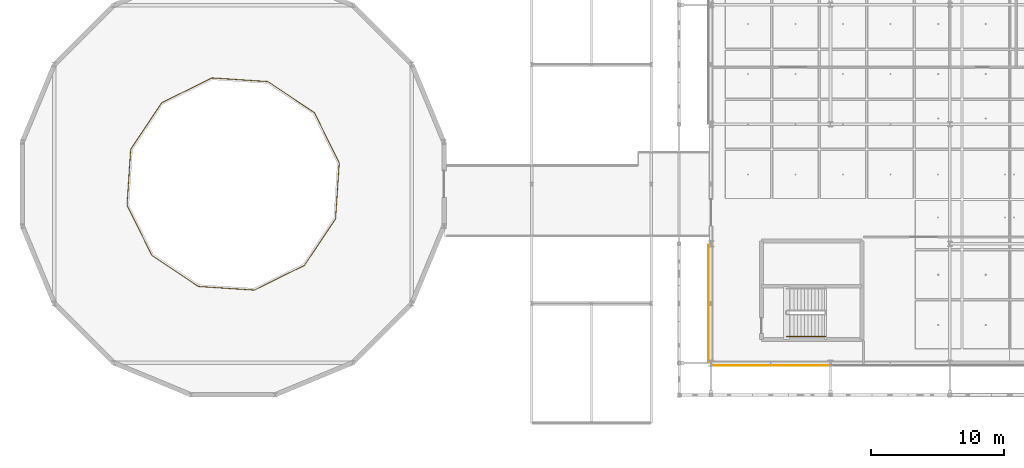
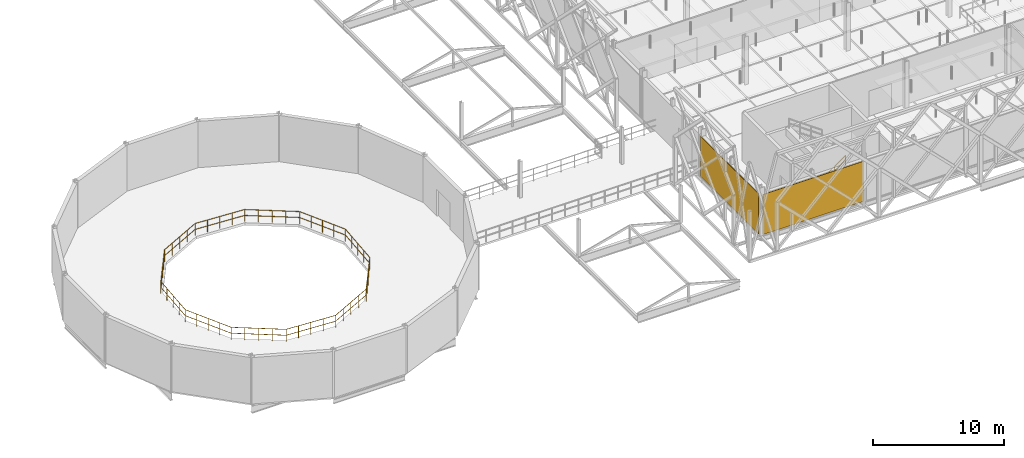
# One storey, part 128 of 140: 2 coverings, 2 railings.
"""IFC4 building model written with IfcOpenShell, lengths in metres."""

from ifc_helpers import new_model, si_unit, direction, frame, origin, origin_2d, place, context, subcontext, project, spatial, rectangle, circle, extrude, material, layer, layer_set, type_object, element, save


model = new_model("IFC4")

# Units and contexts
model_context = context("Model", 3, precision=1e-05, world=origin(), true_north=direction((0.0, 1.0)))
body_context = subcontext(model_context, "Body", "Model", "MODEL_VIEW")
ifc_project = project(units=[si_unit("LENGTHUNIT", "METRE"), si_unit("AREAUNIT", "SQUARE_METRE"), si_unit("VOLUMEUNIT", "CUBIC_METRE"), si_unit("PLANEANGLEUNIT", "RADIAN"), si_unit("MASSUNIT", "GRAM", prefix="KILO"), si_unit("THERMODYNAMICTEMPERATUREUNIT", "KELVIN"), si_unit("POWERUNIT", "WATT")], contexts=[model_context])

# Site, building, storey
site_placement = place(None, origin())
site = spatial("IfcSite", under=ifc_project, at=site_placement, CompositionType="ELEMENT")
building_placement = place(site_placement, origin())
building = spatial("IfcBuilding", under=site, at=building_placement, Name="Tallowbark Science Centre", CompositionType="ELEMENT")
storey_placement = place(building_placement, frame((0.0, 0.0, 9.89990234375)))
storey = spatial("IfcBuildingStorey", under=building, at=storey_placement, Name="L02", CompositionType="ELEMENT", Elevation=9.89990234375)

# Coverings
ifc_material_1 = material(Name="Spotted Gum Hardwood Architectural Rainscreen", Category="wood")
ifc_layer_1 = layer(ifc_material_1, 0.0419921875)
ifc_layer_set_1 = layer_set([ifc_layer_1], Name="Spotted Gum Hardwood Architectural Rainscreen")
covering_type = type_object("IfcCoveringType", Name="COV-TIM-CLAD", PredefinedType="CLADDING", material=ifc_layer_set_1)
for number, where, z_axis, x_axis, name in (
    (1, (63.0, 4.33154296875, 0.050048828125), (0.0, 0.0, 1.0), (1.0, 0.0, 0.0), "Architectural Rainscreen CUB-S-L02-0"),
    (2, (58.33154296875, 9.0, 0.050048828125), (0.0, 0.0, 1.0), (0.0, -1.0, 0.0), "Architectural Rainscreen CUB-W-L02-0"),
):
    element("IfcCovering", number, at=place(storey_placement, frame(where, z_axis=z_axis, x_axis=x_axis)), inside=storey, type_object=covering_type, Name=name, PredefinedType="CLADDING", context=body_context, shape_type="SweptSolid", body=[
        extrude(rectangle(XDim=8.8798828125, YDim=0.0419921875, at=origin_2d()), origin(), (0.0, 0.0, 1.0), 3.74609375),
    ])

# Railings
ifc_material_2 = material(Name="Galvanised Painted Steel and Laminated Glass Balustrade", Category="steel")
ifc_layer_2 = layer(ifc_material_2, 0.070068359375)
ifc_layer_set_2 = layer_set([ifc_layer_2], Name="Galvanised Painted Steel and Laminated Glass Balustrade")
railing_type_1 = type_object("IfcRailingType", Name="RLG-BAL-1150", PredefinedType="BALUSTRADE", material=ifc_layer_set_2)
railing_1_placement = place(storey_placement, frame((30.493408203125, 19.590087890625, 0.0)))
element("IfcRailing", 3, at=railing_1_placement, inside=storey, type_object=railing_type_1, Name="Guardrail GD-DRM-VOID-L02", PredefinedType="BALUSTRADE", context=body_context, shape_type="SweptSolid", body=[
    extrude(circle(Radius=0.02392578125, at=origin_2d()), frame((0.0, 0.0, 1.1259765625), z_axis=(-0.442299498373, 0.89686741146, 0.0), x_axis=(-0.89686741146, -0.442299498373, 0.0)), (0.0, 0.0, 1.0), 4.21875),
    extrude(circle(Radius=0.02392578125, at=origin_2d()), frame((0.0, 0.0, 0.574951171875), z_axis=(-0.442299498373, 0.89686741146, 0.0), x_axis=(-0.89686741146, -0.442299498373, 0.0)), (0.0, 0.0, 1.0), 4.21875),
    extrude(circle(Radius=0.02392578125, at=origin_2d()), frame((-1.865966796875, 3.78369140625, 1.1259765625), z_axis=(-0.831480055762, 0.555554602959, 0.0), x_axis=(-0.555554602959, -0.831480055762, 0.0)), (0.0, 0.0, 1.0), 4.21875),
    extrude(circle(Radius=0.02392578125, at=origin_2d()), frame((-1.865966796875, 3.78369140625, 0.574951171875), z_axis=(-0.831480055762, 0.555554602959, 0.0), x_axis=(-0.555554602959, -0.831480055762, 0.0)), (0.0, 0.0, 1.0), 4.21875),
    extrude(circle(Radius=0.02392578125, at=origin_2d()), frame((-5.373779296875, 6.12744140625, 1.1259765625), z_axis=(-0.997859549875, 0.065393567903, 0.0), x_axis=(-0.065393567903, -0.997859549875, 0.0)), (0.0, 0.0, 1.0), 4.21875),
    extrude(circle(Radius=0.02392578125, at=origin_2d()), frame((-5.373779296875, 6.12744140625, 0.574951171875), z_axis=(-0.997859549875, 0.065393567903, 0.0), x_axis=(-0.065393567903, -0.997859549875, 0.0)), (0.0, 0.0, 1.0), 4.21875),
    extrude(circle(Radius=0.02392578125, at=origin_2d()), frame((-9.58349609375, 6.4033203125, 1.1259765625), z_axis=(-0.89686741146, -0.442299498373, 0.0), x_axis=(0.442299498373, -0.89686741146, 0.0)), (0.0, 0.0, 1.0), 4.21875),
    extrude(circle(Radius=0.02392578125, at=origin_2d()), frame((-9.58349609375, 6.4033203125, 0.574951171875), z_axis=(-0.89686741146, -0.442299498373, 0.0), x_axis=(0.442299498373, -0.89686741146, 0.0)), (0.0, 0.0, 1.0), 4.21875),
    extrude(circle(Radius=0.02392578125, at=origin_2d()), frame((-13.3671875, 4.537353515625, 1.1259765625), z_axis=(-0.555554602959, -0.831480055762, 0.0), x_axis=(0.831480055762, -0.555554602959, 0.0)), (0.0, 0.0, 1.0), 4.21875),
    extrude(circle(Radius=0.02392578125, at=origin_2d()), frame((-13.3671875, 4.537353515625, 0.574951171875), z_axis=(-0.555554602959, -0.831480055762, 0.0), x_axis=(0.831480055762, -0.555554602959, 0.0)), (0.0, 0.0, 1.0), 4.21875),
    extrude(circle(Radius=0.02392578125, at=origin_2d()), frame((-15.7109375, 1.029541015625, 1.1259765625), z_axis=(-0.065393567903, -0.997859549875, 0.0), x_axis=(0.997859549875, -0.065393567903, 0.0)), (0.0, 0.0, 1.0), 4.21875),
    extrude(circle(Radius=0.02392578125, at=origin_2d()), frame((-15.7109375, 1.029541015625, 0.574951171875), z_axis=(-0.065393567903, -0.997859549875, 0.0), x_axis=(0.997859549875, -0.065393567903, 0.0)), (0.0, 0.0, 1.0), 4.21875),
    extrude(circle(Radius=0.02392578125, at=origin_2d()), frame((-15.98681640625, -3.18017578125, 1.1259765625), z_axis=(0.442299498373, -0.89686741146, 0.0), x_axis=(0.89686741146, 0.442299498373, 0.0)), (0.0, 0.0, 1.0), 4.21875),
    extrude(circle(Radius=0.02392578125, at=origin_2d()), frame((-15.98681640625, -3.18017578125, 0.574951171875), z_axis=(0.442299498373, -0.89686741146, 0.0), x_axis=(0.89686741146, 0.442299498373, 0.0)), (0.0, 0.0, 1.0), 4.21875),
    extrude(circle(Radius=0.02392578125, at=origin_2d()), frame((-14.120849609375, -6.9638671875, 1.1259765625), z_axis=(0.831480055762, -0.555554602959, 0.0), x_axis=(0.555554602959, 0.831480055762, 0.0)), (0.0, 0.0, 1.0), 4.21875),
    extrude(circle(Radius=0.02392578125, at=origin_2d()), frame((-14.120849609375, -6.9638671875, 0.574951171875), z_axis=(0.831480055762, -0.555554602959, 0.0), x_axis=(0.555554602959, 0.831480055762, 0.0)), (0.0, 0.0, 1.0), 4.21875),
    extrude(circle(Radius=0.02392578125, at=origin_2d()), frame((-10.613037109375, -9.3076171875, 1.1259765625), z_axis=(0.997859549875, -0.065393567903, 0.0), x_axis=(0.065393567903, 0.997859549875, 0.0)), (0.0, 0.0, 1.0), 4.21875),
    extrude(circle(Radius=0.02392578125, at=origin_2d()), frame((-10.613037109375, -9.3076171875, 0.574951171875), z_axis=(0.997859549875, -0.065393567903, 0.0), x_axis=(0.065393567903, 0.997859549875, 0.0)), (0.0, 0.0, 1.0), 4.21875),
    extrude(circle(Radius=0.02392578125, at=origin_2d()), frame((-6.4033203125, -9.58349609375, 1.1259765625), z_axis=(0.89686741146, 0.442299498373, 0.0), x_axis=(-0.442299498373, 0.89686741146, 0.0)), (0.0, 0.0, 1.0), 4.21875),
    extrude(circle(Radius=0.02392578125, at=origin_2d()), frame((-6.4033203125, -9.58349609375, 0.574951171875), z_axis=(0.89686741146, 0.442299498373, 0.0), x_axis=(-0.442299498373, 0.89686741146, 0.0)), (0.0, 0.0, 1.0), 4.21875),
    extrude(circle(Radius=0.02392578125, at=origin_2d()), frame((-2.61962890625, -7.717529296875, 1.1259765625), z_axis=(0.555554602959, 0.831480055762, 0.0), x_axis=(-0.831480055762, 0.555554602959, 0.0)), (0.0, 0.0, 1.0), 4.21875),
    extrude(circle(Radius=0.02392578125, at=origin_2d()), frame((-2.61962890625, -7.717529296875, 0.574951171875), z_axis=(0.555554602959, 0.831480055762, 0.0), x_axis=(-0.831480055762, 0.555554602959, 0.0)), (0.0, 0.0, 1.0), 4.21875),
    extrude(circle(Radius=0.02392578125, at=origin_2d()), frame((-0.27587890625, -4.209716796875, 1.1259765625), z_axis=(0.065393567903, 0.997859549875, 0.0), x_axis=(-0.997859549875, 0.065393567903, 0.0)), (0.0, 0.0, 1.0), 4.21875),
    extrude(circle(Radius=0.02392578125, at=origin_2d()), frame((-0.27587890625, -4.209716796875, 0.574951171875), z_axis=(0.065393567903, 0.997859549875, 0.0), x_axis=(-0.997859549875, 0.065393567903, 0.0)), (0.0, 0.0, 1.0), 4.21875),
    extrude(circle(Radius=0.02099609375, at=origin_2d()), origin(), (0.0, 0.0, 1.0), 1.101806640625),
    extrude(circle(Radius=0.02099609375, at=origin_2d()), frame((-0.466552734375, 0.94580078125, 0.0)), (0.0, 0.0, 1.0), 1.101806640625),
    extrude(circle(Radius=0.02099609375, at=origin_2d()), frame((-0.93310546875, 1.891845703125, 0.0)), (0.0, 0.0, 1.0), 1.101806640625),
    extrude(circle(Radius=0.02099609375, at=origin_2d()), frame((-1.3994140625, 2.837890625, 0.0)), (0.0, 0.0, 1.0), 1.101806640625),
    extrude(circle(Radius=0.02099609375, at=origin_2d()), frame((-1.865966796875, 3.78369140625, 0.0)), (0.0, 0.0, 1.0), 1.101806640625),
    extrude(circle(Radius=0.02099609375, at=origin_2d()), frame((-2.742919921875, 4.36962890625, 0.0)), (0.0, 0.0, 1.0), 1.101806640625),
    extrude(circle(Radius=0.02099609375, at=origin_2d()), frame((-3.619873046875, 4.95556640625, 0.0)), (0.0, 0.0, 1.0), 1.101806640625),
    extrude(circle(Radius=0.02099609375, at=origin_2d()), frame((-4.496826171875, 5.54150390625, 0.0)), (0.0, 0.0, 1.0), 1.101806640625),
    extrude(circle(Radius=0.02099609375, at=origin_2d()), frame((-5.373779296875, 6.12744140625, 0.0)), (0.0, 0.0, 1.0), 1.101806640625),
    extrude(circle(Radius=0.02099609375, at=origin_2d()), frame((-6.42626953125, 6.1962890625, 0.0)), (0.0, 0.0, 1.0), 1.101806640625),
    extrude(circle(Radius=0.02099609375, at=origin_2d()), frame((-7.478515625, 6.265380859375, 0.0)), (0.0, 0.0, 1.0), 1.101806640625),
    extrude(circle(Radius=0.02099609375, at=origin_2d()), frame((-8.531005859375, 6.33447265625, 0.0)), (0.0, 0.0, 1.0), 1.101806640625),
    extrude(circle(Radius=0.02099609375, at=origin_2d()), frame((-9.58349609375, 6.4033203125, 0.0)), (0.0, 0.0, 1.0), 1.101806640625),
    extrude(circle(Radius=0.02099609375, at=origin_2d()), frame((-10.529296875, 5.936767578125, 0.0)), (0.0, 0.0, 1.0), 1.101806640625),
    extrude(circle(Radius=0.02099609375, at=origin_2d()), frame((-11.475341796875, 5.47021484375, 0.0)), (0.0, 0.0, 1.0), 1.101806640625),
    extrude(circle(Radius=0.02099609375, at=origin_2d()), frame((-12.42138671875, 5.00390625, 0.0)), (0.0, 0.0, 1.0), 1.101806640625),
    extrude(circle(Radius=0.02099609375, at=origin_2d()), frame((-13.3671875, 4.537353515625, 0.0)), (0.0, 0.0, 1.0), 1.101806640625),
    extrude(circle(Radius=0.02099609375, at=origin_2d()), frame((-13.953125, 3.660400390625, 0.0)), (0.0, 0.0, 1.0), 1.101806640625),
    extrude(circle(Radius=0.02099609375, at=origin_2d()), frame((-14.5390625, 2.783447265625, 0.0)), (0.0, 0.0, 1.0), 1.101806640625),
    extrude(circle(Radius=0.02099609375, at=origin_2d()), frame((-15.125, 1.906494140625, 0.0)), (0.0, 0.0, 1.0), 1.101806640625),
    extrude(circle(Radius=0.02099609375, at=origin_2d()), frame((-15.7109375, 1.029541015625, 0.0)), (0.0, 0.0, 1.0), 1.101806640625),
    extrude(circle(Radius=0.02099609375, at=origin_2d()), frame((-15.77978515625, -0.02294921875, 0.0)), (0.0, 0.0, 1.0), 1.101806640625),
    extrude(circle(Radius=0.02099609375, at=origin_2d()), frame((-15.848876953125, -1.0751953125, 0.0)), (0.0, 0.0, 1.0), 1.101806640625),
    extrude(circle(Radius=0.02099609375, at=origin_2d()), frame((-15.91796875, -2.127685546875, 0.0)), (0.0, 0.0, 1.0), 1.101806640625),
    extrude(circle(Radius=0.02099609375, at=origin_2d()), frame((-15.98681640625, -3.18017578125, 0.0)), (0.0, 0.0, 1.0), 1.101806640625),
    extrude(circle(Radius=0.02099609375, at=origin_2d()), frame((-15.520263671875, -4.1259765625, 0.0)), (0.0, 0.0, 1.0), 1.101806640625),
    extrude(circle(Radius=0.02099609375, at=origin_2d()), frame((-15.0537109375, -5.072021484375, 0.0)), (0.0, 0.0, 1.0), 1.101806640625),
    extrude(circle(Radius=0.02099609375, at=origin_2d()), frame((-14.58740234375, -6.01806640625, 0.0)), (0.0, 0.0, 1.0), 1.101806640625),
    extrude(circle(Radius=0.02099609375, at=origin_2d()), frame((-14.120849609375, -6.9638671875, 0.0)), (0.0, 0.0, 1.0), 1.101806640625),
    extrude(circle(Radius=0.02099609375, at=origin_2d()), frame((-13.243896484375, -7.5498046875, 0.0)), (0.0, 0.0, 1.0), 1.101806640625),
    extrude(circle(Radius=0.02099609375, at=origin_2d()), frame((-12.366943359375, -8.1357421875, 0.0)), (0.0, 0.0, 1.0), 1.101806640625),
    extrude(circle(Radius=0.02099609375, at=origin_2d()), frame((-11.489990234375, -8.7216796875, 0.0)), (0.0, 0.0, 1.0), 1.101806640625),
    extrude(circle(Radius=0.02099609375, at=origin_2d()), frame((-10.613037109375, -9.3076171875, 0.0)), (0.0, 0.0, 1.0), 1.101806640625),
    extrude(circle(Radius=0.02099609375, at=origin_2d()), frame((-9.560546875, -9.37646484375, 0.0)), (0.0, 0.0, 1.0), 1.101806640625),
    extrude(circle(Radius=0.02099609375, at=origin_2d()), frame((-8.50830078125, -9.445556640625, 0.0)), (0.0, 0.0, 1.0), 1.101806640625),
    extrude(circle(Radius=0.02099609375, at=origin_2d()), frame((-7.455810546875, -9.5146484375, 0.0)), (0.0, 0.0, 1.0), 1.101806640625),
    extrude(circle(Radius=0.02099609375, at=origin_2d()), frame((-6.4033203125, -9.58349609375, 0.0)), (0.0, 0.0, 1.0), 1.101806640625),
    extrude(circle(Radius=0.02099609375, at=origin_2d()), frame((-5.45751953125, -9.116943359375, 0.0)), (0.0, 0.0, 1.0), 1.101806640625),
    extrude(circle(Radius=0.02099609375, at=origin_2d()), frame((-4.511474609375, -8.650390625, 0.0)), (0.0, 0.0, 1.0), 1.101806640625),
    extrude(circle(Radius=0.02099609375, at=origin_2d()), frame((-3.5654296875, -8.18408203125, 0.0)), (0.0, 0.0, 1.0), 1.101806640625),
    extrude(circle(Radius=0.02099609375, at=origin_2d()), frame((-2.61962890625, -7.717529296875, 0.0)), (0.0, 0.0, 1.0), 1.101806640625),
    extrude(circle(Radius=0.02099609375, at=origin_2d()), frame((-2.03369140625, -6.840576171875, 0.0)), (0.0, 0.0, 1.0), 1.101806640625),
    extrude(circle(Radius=0.02099609375, at=origin_2d()), frame((-1.44775390625, -5.963623046875, 0.0)), (0.0, 0.0, 1.0), 1.101806640625),
    extrude(circle(Radius=0.02099609375, at=origin_2d()), frame((-0.86181640625, -5.086669921875, 0.0)), (0.0, 0.0, 1.0), 1.101806640625),
    extrude(circle(Radius=0.02099609375, at=origin_2d()), frame((-0.27587890625, -4.209716796875, 0.0)), (0.0, 0.0, 1.0), 1.101806640625),
    extrude(circle(Radius=0.02099609375, at=origin_2d()), frame((-0.20703125, -3.1572265625, 0.0)), (0.0, 0.0, 1.0), 1.101806640625),
    extrude(circle(Radius=0.02099609375, at=origin_2d()), frame((-0.137939453125, -2.10498046875, 0.0)), (0.0, 0.0, 1.0), 1.101806640625),
    extrude(circle(Radius=0.02099609375, at=origin_2d()), frame((-0.06884765625, -1.052490234375, 0.0)), (0.0, 0.0, 1.0), 1.101806640625),
])
ifc_material_3 = material(Name="Brushed Grade 316 Stainless Steel Handrail", Category="steel")
ifc_layer_3 = layer(ifc_material_3, 0.050048828125)
ifc_layer_set_3 = layer_set([ifc_layer_3], Name="Brushed Grade 316 Stainless Steel Handrail")
railing_type_2 = type_object("IfcRailingType", Name="RLG-HDR-950", PredefinedType="HANDRAIL", material=ifc_layer_set_3)
railing_2_placement = place(storey_placement, frame((64.2099609375, 6.5, 0.1875)))
element("IfcRailing", 4, at=railing_2_placement, inside=storey, type_object=railing_type_2, Name="L02 ST-07 stair handrail 1", PredefinedType="HANDRAIL", context=body_context, shape_type="SweptSolid", body=[
    extrude(circle(Radius=0.02392578125, at=origin_2d()), frame((0.0, 0.0, 0.8759765625), z_axis=(0.816330724661, 0.0, 0.577584753931), x_axis=(0.0, 1.0, 0.0)), (0.0, 0.0, 1.0), 3.57080078125),
    extrude(circle(Radius=0.02392578125, at=origin_2d()), frame((0.0, 0.0, 0.449951171875), z_axis=(0.816330724661, 0.0, 0.577584753931), x_axis=(0.0, 1.0, 0.0)), (0.0, 0.0, 1.0), 3.57080078125),
    extrude(circle(Radius=0.02099609375, at=origin_2d()), origin(), (0.0, 0.0, 1.0), 0.851806640625),
    extrude(circle(Radius=0.02099609375, at=origin_2d()), frame((0.9716796875, 0.0, 0.6875)), (0.0, 0.0, 1.0), 0.851806640625),
    extrude(circle(Radius=0.02099609375, at=origin_2d()), frame((1.943359375, 0.0, 1.375)), (0.0, 0.0, 1.0), 0.851806640625),
    extrude(circle(Radius=0.02099609375, at=origin_2d()), frame((2.9150390625, 0.0, 2.0625)), (0.0, 0.0, 1.0), 0.851806640625),
])

save(model, "model.ifc")
